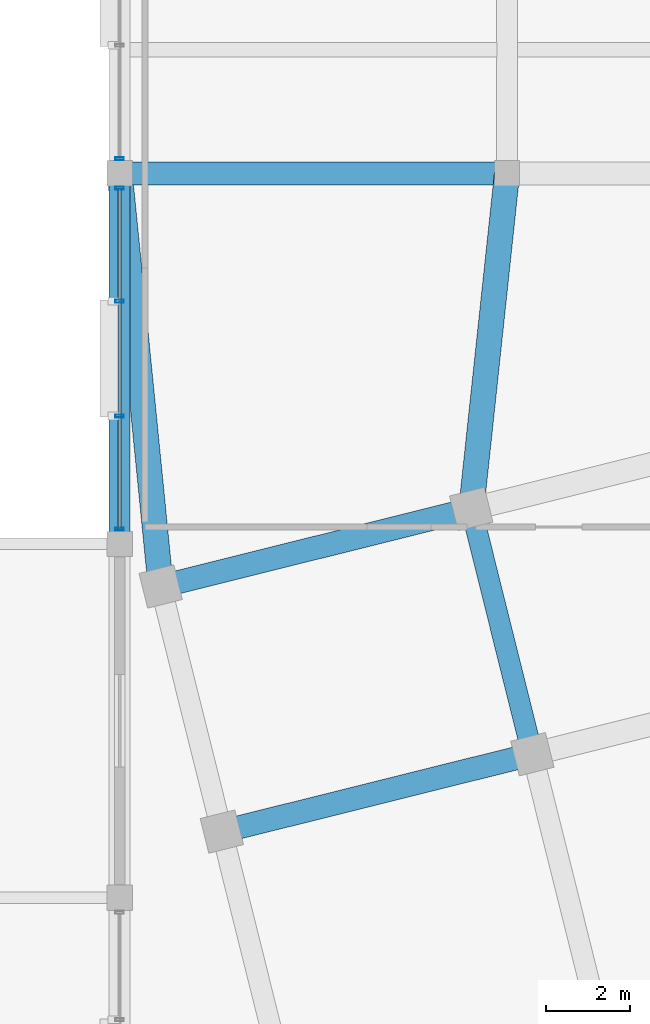
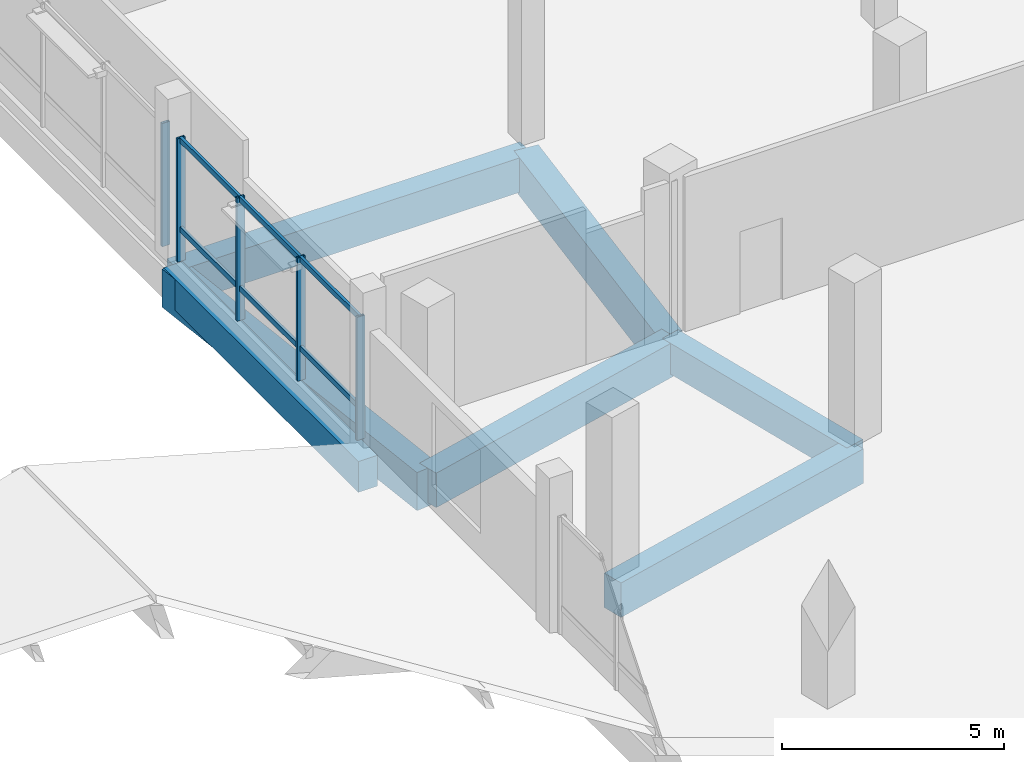
# One storey, part 37 of 77: 11 members, 7 beams, 2 elements without a shape of their own.
"""IFC4 building model written with IfcOpenShell, lengths in metres."""

from ifc_helpers import new_model, si_unit, direction, frame, origin, origin_2d, place, context, subcontext, project, spatial, rectangle, hollow_rectangle, extrude, material, layer, layer_set, material_profile, profile_set, type_object, element, aggregate, save


model = new_model("IFC4")

# Units and contexts
model_context = context("Model", 3, precision=1e-05, world=origin(), true_north=direction((0.0, 1.0)))
body_context = subcontext(model_context, "Body", "Model", "MODEL_VIEW")
ifc_project = project(units=[si_unit("LENGTHUNIT", "METRE"), si_unit("AREAUNIT", "SQUARE_METRE"), si_unit("VOLUMEUNIT", "CUBIC_METRE"), si_unit("PLANEANGLEUNIT", "RADIAN"), si_unit("MASSUNIT", "GRAM", prefix="KILO")], contexts=[model_context])

# Site, building, storey
site_placement = place(None, origin())
site = spatial("IfcSite", under=ifc_project, at=site_placement, CompositionType="ELEMENT")
building_placement = place(site_placement, origin())
building = spatial("IfcBuilding", under=site, at=building_placement, Name="Meriwether Solvik Hall", CompositionType="ELEMENT")
storey_placement = place(building_placement, frame((0.0, 0.0, 9.89990234375)))
storey = spatial("IfcBuildingStorey", under=building, at=storey_placement, Name="L02", CompositionType="ELEMENT", Elevation=9.89990234375)

# Beams
ifc_material_1 = material(Name="Concrete C40/50", Category="concrete")
ifc_material_profile_1 = material_profile(ifc_material_1, rectangle(XDim=0.5, YDim=0.85009765625, at=origin_2d()), Name="RCB-500X850")
ifc_profile_set_1 = profile_set([ifc_material_profile_1], Name="Concrete C40/50")
beam_type_1 = type_object("IfcBeamType", Name="BM-RC-500X850", PredefinedType="BEAM", material=ifc_profile_set_1)
beam_1_placement = place(storey_placement, frame((59.39990234375, 75.199951171875, -0.7548828125), z_axis=(0.0, 1.0, 0.0), x_axis=(-1.0, 0.0, 0.0)))
element("IfcBeam", 1, at=beam_1_placement, inside=storey, type_object=beam_type_1, Name="Podium Girder 7:I-J (L02)", PredefinedType="BEAM", context=body_context, shape_type="SweptSolid", body=[
    extrude(rectangle(XDim=0.5, YDim=0.85009765625, at=origin_2d()), origin(), (0.0, 0.0, 1.0), 8.800048828125),
])
beam_2_placement = place(storey_placement, frame((69.200439453125, 70.206787109375, -0.7548828125), z_axis=(-0.241903677572, 0.970300268359, 0.0), x_axis=(-0.970300268359, -0.241903677572, 0.0)))
element("IfcBeam", 2, at=beam_2_placement, inside=storey, type_object=beam_type_1, Name="Tower Girder T2:TE-TF (L02)", PredefinedType="BEAM", context=body_context, shape_type="SweptSolid", body=[
    extrude(rectangle(XDim=0.5, YDim=0.85009765625, at=origin_2d()), origin(), (0.0, 0.0, 1.0), 6.0),
])
ifc_material_2 = material(Name="Concrete C40/50", Category="concrete")
ifc_material_profile_2 = material_profile(ifc_material_2, rectangle(XDim=0.550048828125, YDim=0.949951171875, at=origin_2d()), Name="RCB-550X950")
ifc_profile_set_2 = profile_set([ifc_material_profile_2], Name="Concrete C40/50")
beam_type_2 = type_object("IfcBeamType", Name="BM-RC-550X950", PredefinedType="BEAM", material=ifc_profile_set_2)
beam_3_placement = place(storey_placement, frame((59.39990234375, 84.0, -0.804931640625), z_axis=(1.0, 0.0, 0.0), x_axis=(0.0, 1.0, 0.0)))
element("IfcBeam", 3, at=beam_3_placement, inside=storey, type_object=beam_type_2, Name="Podium Girder J:7-8 (L02)", PredefinedType="BEAM", context=body_context, shape_type="SweptSolid", body=[
    extrude(rectangle(XDim=0.550048828125, YDim=0.949951171875, at=origin_2d()), origin(), (0.0, 0.0, 1.0), 9.2001953125),
])
for number, where, z_axis, x_axis, name in (
    (4, (61.826171875, 68.3681640625, -0.804931640625), (0.970295366785, 0.241923337436, 0.0), (-0.241923337436, 0.970295366785, 0.0), "Tower Girder TE:T1-T2 (L02)"),
    (5, (60.374755859375, 74.18994140625, -0.804931640625), (0.970295366785, 0.241923337436, 0.0), (-0.241923337436, 0.970295366785, 0.0), "Tower Girder TF:T1-T2 (L02)"),
):
    element("IfcBeam", number, at=place(storey_placement, frame(where, z_axis=z_axis, x_axis=x_axis)), inside=storey, type_object=beam_type_2, Name=name, PredefinedType="BEAM", context=body_context, shape_type="SweptSolid", body=[
        extrude(rectangle(XDim=0.550048828125, YDim=0.949951171875, at=origin_2d()), origin(), (0.0, 0.0, 1.0), 7.60009765625),
    ])
ifc_material_3 = material(Name="Concrete C40/50", Category="concrete")
ifc_material_profile_3 = material_profile(ifc_material_3, rectangle(XDim=0.60009765625, YDim=1.050048828125, at=origin_2d()), Name="RCB-600X1050")
ifc_profile_set_3 = profile_set([ifc_material_profile_3], Name="Concrete C40/50")
beam_type_3 = type_object("IfcBeamType", Name="BM-RC-600X1050", PredefinedType="BEAM", material=ifc_profile_set_3)
beam_4_placement = place(storey_placement, frame((60.374755859375, 74.18994140625, -0.85498046875), z_axis=(-0.098885806068, 0.995098787738, 0.0), x_axis=(-0.995098787738, -0.098885806068, 0.0)))
element("IfcBeam", 6, at=beam_4_placement, inside=storey, type_object=beam_type_3, Name="Diaphragm Collector Girder T1/TF-7/J (L02)", PredefinedType="BEAM", context=body_context, shape_type="SweptSolid", body=[
    extrude(rectangle(XDim=0.60009765625, YDim=1.050048828125, at=origin_2d()), origin(), (0.0, 0.0, 1.0), 9.8583984375),
])
beam_5_placement = place(storey_placement, frame((67.7490234375, 76.028564453125, -0.85498046875), z_axis=(0.106162139873, 0.99434883218, 0.0), x_axis=(-0.99434883218, 0.106162139873, 0.0)))
element("IfcBeam", 7, at=beam_5_placement, inside=storey, type_object=beam_type_3, Name="Diaphragm Collector Girder T2/TF-8/J (L02)", PredefinedType="BEAM", context=body_context, shape_type="SweptSolid", body=[
    extrude(rectangle(XDim=0.60009765625, YDim=1.050048828125, at=origin_2d()), origin(), (0.0, 0.0, 1.0), 8.016845703125),
])

# Curtain wall, members
ifc_material_4 = material(Name="Thermally Broken Anodised Aluminium 6063-T6 and Low-E Glass", Category="aluminium")
ifc_layer = layer(ifc_material_4, 0.179931640625)
ifc_layer_set = layer_set([ifc_layer], Name="Thermally Broken Anodised Aluminium 6063-T6 and Low-E Glass")
curtain_wall_type = type_object("IfcCurtainWallType", Name="CW-SF-POD-C", PredefinedType="USERDEFINED", material=ifc_layer_set)
curtain_wall_1_placement = place(storey_placement, origin())
curtain_wall_1 = element("IfcCurtainWall", 8, at=curtain_wall_1_placement, inside=storey, type_object=curtain_wall_type, Name="Curtain Wall wing_Y7_9_32 (L02)", ObjectType="STICK STOREFRONT GLAZING", PredefinedType="USERDEFINED")
ifc_material_5 = material(Name="Anodised Aluminium 6063-T6", Category="aluminium")
ifc_material_profile_4 = material_profile(ifc_material_5, hollow_rectangle(XDim=0.070068359375, YDim=0.199951171875, WallThickness=0.0048828125, at=origin_2d()), Name="CWM-70X200")
ifc_profile_set_4 = profile_set([ifc_material_profile_4], Name="Anodised Aluminium 6063-T6")
member_type_1 = type_object("IfcMemberType", Name="CW-MUL-70X200", PredefinedType="MULLION", material=ifc_profile_set_4)
member_1_placement = place(storey_placement, frame((59.39990234375, 75.550048828125, 0.0), z_axis=(0.0, 0.0, 1.0), x_axis=(0.0, 1.0, 0.0)))
member_1 = element("IfcMember", 9, at=member_1_placement, type_object=member_type_1, Name="Curtain Wall Mullion 1", PredefinedType="MULLION", context=body_context, shape_type="SweptSolid", body=[
    extrude(hollow_rectangle(XDim=0.070068359375, YDim=0.199951171875, WallThickness=0.0048828125, at=origin_2d()), origin(), (0.0, 0.0, 1.0), 3.39501953125),
])
member_2_placement = place(storey_placement, frame((59.39990234375, 78.2373046875, 0.0), z_axis=(0.0, 0.0, 1.0), x_axis=(0.0, 1.0, 0.0)))
member_2 = element("IfcMember", 10, at=member_2_placement, type_object=member_type_1, Name="Curtain Wall Mullion 2", PredefinedType="MULLION", context=body_context, shape_type="SweptSolid", body=[
    extrude(hollow_rectangle(XDim=0.070068359375, YDim=0.199951171875, WallThickness=0.0048828125, at=origin_2d()), origin(), (0.0, 0.0, 1.0), 3.39501953125),
])
member_3_placement = place(storey_placement, frame((59.39990234375, 80.962646484375, 0.0), z_axis=(0.0, 0.0, 1.0), x_axis=(0.0, 1.0, 0.0)))
member_3 = element("IfcMember", 11, at=member_3_placement, type_object=member_type_1, Name="Curtain Wall Mullion 3", PredefinedType="MULLION", context=body_context, shape_type="SweptSolid", body=[
    extrude(hollow_rectangle(XDim=0.070068359375, YDim=0.199951171875, WallThickness=0.0048828125, at=origin_2d()), origin(), (0.0, 0.0, 1.0), 3.39501953125),
])
member_4_placement = place(storey_placement, frame((59.39990234375, 83.64990234375, 0.0), z_axis=(0.0, 0.0, 1.0), x_axis=(0.0, 1.0, 0.0)))
member_4 = element("IfcMember", 12, at=member_4_placement, type_object=member_type_1, Name="Curtain Wall Mullion 4", PredefinedType="MULLION", context=body_context, shape_type="SweptSolid", body=[
    extrude(hollow_rectangle(XDim=0.070068359375, YDim=0.199951171875, WallThickness=0.0048828125, at=origin_2d()), origin(), (0.0, 0.0, 1.0), 3.39501953125),
])

# Curtain wall, member
curtain_wall_2_placement = place(storey_placement, origin())
curtain_wall_2 = element("IfcCurtainWall", 13, at=curtain_wall_2_placement, inside=storey, type_object=curtain_wall_type, Name="Curtain Wall wing_Y7_10_33 (L02)", ObjectType="STICK STOREFRONT GLAZING", PredefinedType="USERDEFINED")
member_5_placement = place(storey_placement, frame((59.39990234375, 84.35009765625, 0.0), z_axis=(0.0, 0.0, 1.0), x_axis=(0.0, 1.0, 0.0)))
member_5 = element("IfcMember", 14, at=member_5_placement, type_object=member_type_1, Name="Curtain Wall Mullion 1", PredefinedType="MULLION", context=body_context, shape_type="SweptSolid", body=[
    extrude(hollow_rectangle(XDim=0.070068359375, YDim=0.199951171875, WallThickness=0.0048828125, at=origin_2d()), origin(), (0.0, 0.0, 1.0), 3.39501953125),
])
aggregate(curtain_wall_2, [member_5])

# Member
ifc_material_6 = material(Name="Anodised Aluminium 6063-T6", Category="aluminium")
ifc_material_profile_5 = material_profile(ifc_material_6, hollow_rectangle(XDim=0.070068359375, YDim=0.14990234375, WallThickness=0.0048828125, at=origin_2d()), Name="CWT-70X150")
ifc_profile_set_5 = profile_set([ifc_material_profile_5], Name="Anodised Aluminium 6063-T6")
member_type_2 = type_object("IfcMemberType", Name="CW-TRN-70X150", PredefinedType="USERDEFINED", material=ifc_profile_set_5)
member_6_placement = place(storey_placement, frame((59.39990234375, 75.550048828125, 0.880126953125), z_axis=(0.0, 1.0, 0.0), x_axis=(-1.0, 0.0, 0.0)))
member_6 = element("IfcMember", 15, at=member_6_placement, type_object=member_type_2, Name="Curtain Wall Transom 1-sill", ObjectType="TRANSOM", PredefinedType="USERDEFINED", context=body_context, shape_type="SweptSolid", body=[
    extrude(hollow_rectangle(XDim=0.070068359375, YDim=0.14990234375, WallThickness=0.0048828125, at=origin_2d()), origin(), (0.0, 0.0, 1.0), 2.687255859375),
])

member_7_placement = place(storey_placement, frame((59.39990234375, 75.550048828125, 3.335205078125), z_axis=(0.0, 1.0, 0.0), x_axis=(-1.0, 0.0, 0.0)))
member_7 = element("IfcMember", 16, at=member_7_placement, type_object=member_type_2, Name="Curtain Wall Transom 1-head", ObjectType="TRANSOM", PredefinedType="USERDEFINED", context=body_context, shape_type="SweptSolid", body=[
    extrude(hollow_rectangle(XDim=0.070068359375, YDim=0.14990234375, WallThickness=0.0048828125, at=origin_2d()), origin(), (0.0, 0.0, 1.0), 2.687255859375),
])

member_8_placement = place(storey_placement, frame((59.39990234375, 78.2373046875, 0.880126953125), z_axis=(0.0, 1.0, 0.0), x_axis=(-1.0, 0.0, 0.0)))
member_8 = element("IfcMember", 17, at=member_8_placement, type_object=member_type_2, Name="Curtain Wall Transom 2-sill", ObjectType="TRANSOM", PredefinedType="USERDEFINED", context=body_context, shape_type="SweptSolid", body=[
    extrude(hollow_rectangle(XDim=0.070068359375, YDim=0.14990234375, WallThickness=0.0048828125, at=origin_2d()), origin(), (0.0, 0.0, 1.0), 2.725341796875),
])

member_9_placement = place(storey_placement, frame((59.39990234375, 78.2373046875, 3.335205078125), z_axis=(0.0, 1.0, 0.0), x_axis=(-1.0, 0.0, 0.0)))
member_9 = element("IfcMember", 18, at=member_9_placement, type_object=member_type_2, Name="Curtain Wall Transom 2-head", ObjectType="TRANSOM", PredefinedType="USERDEFINED", context=body_context, shape_type="SweptSolid", body=[
    extrude(hollow_rectangle(XDim=0.070068359375, YDim=0.14990234375, WallThickness=0.0048828125, at=origin_2d()), origin(), (0.0, 0.0, 1.0), 2.725341796875),
])

member_10_placement = place(storey_placement, frame((59.39990234375, 80.962646484375, 0.880126953125), z_axis=(0.0, 1.0, 0.0), x_axis=(-1.0, 0.0, 0.0)))
member_10 = element("IfcMember", 19, at=member_10_placement, type_object=member_type_2, Name="Curtain Wall Transom 3-sill", ObjectType="TRANSOM", PredefinedType="USERDEFINED", context=body_context, shape_type="SweptSolid", body=[
    extrude(hollow_rectangle(XDim=0.070068359375, YDim=0.14990234375, WallThickness=0.0048828125, at=origin_2d()), origin(), (0.0, 0.0, 1.0), 2.687255859375),
])

member_11_placement = place(storey_placement, frame((59.39990234375, 80.962646484375, 3.335205078125), z_axis=(0.0, 1.0, 0.0), x_axis=(-1.0, 0.0, 0.0)))
member_11 = element("IfcMember", 20, at=member_11_placement, type_object=member_type_2, Name="Curtain Wall Transom 3-head", ObjectType="TRANSOM", PredefinedType="USERDEFINED", context=body_context, shape_type="SweptSolid", body=[
    extrude(hollow_rectangle(XDim=0.070068359375, YDim=0.14990234375, WallThickness=0.0048828125, at=origin_2d()), origin(), (0.0, 0.0, 1.0), 2.687255859375),
])

aggregate(curtain_wall_1, [member_1, member_2, member_3, member_4, member_6, member_7, member_8, member_9, member_10, member_11])

save(model, "model.ifc")
